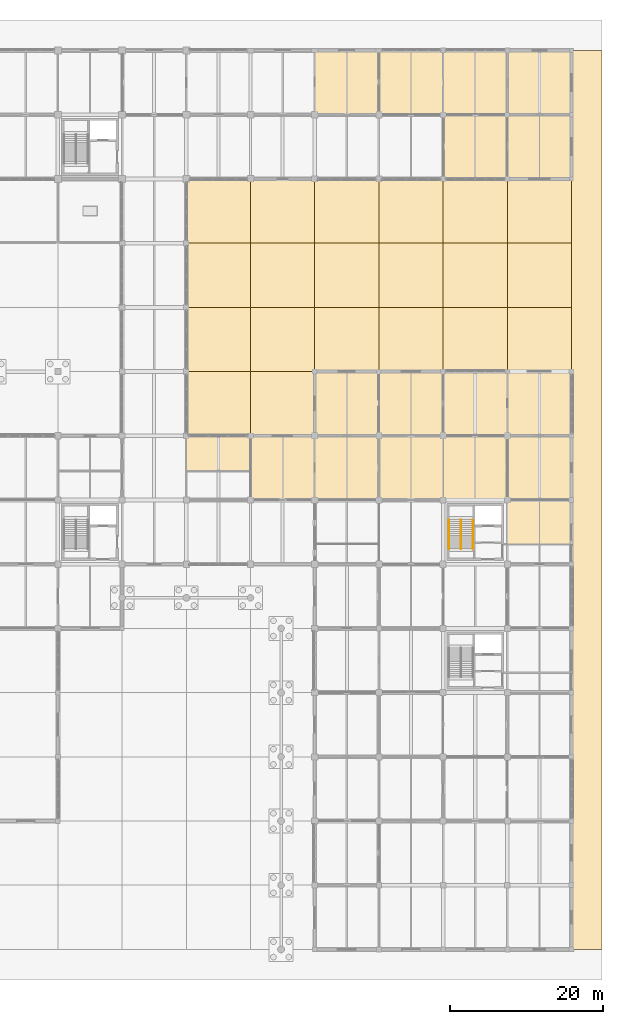
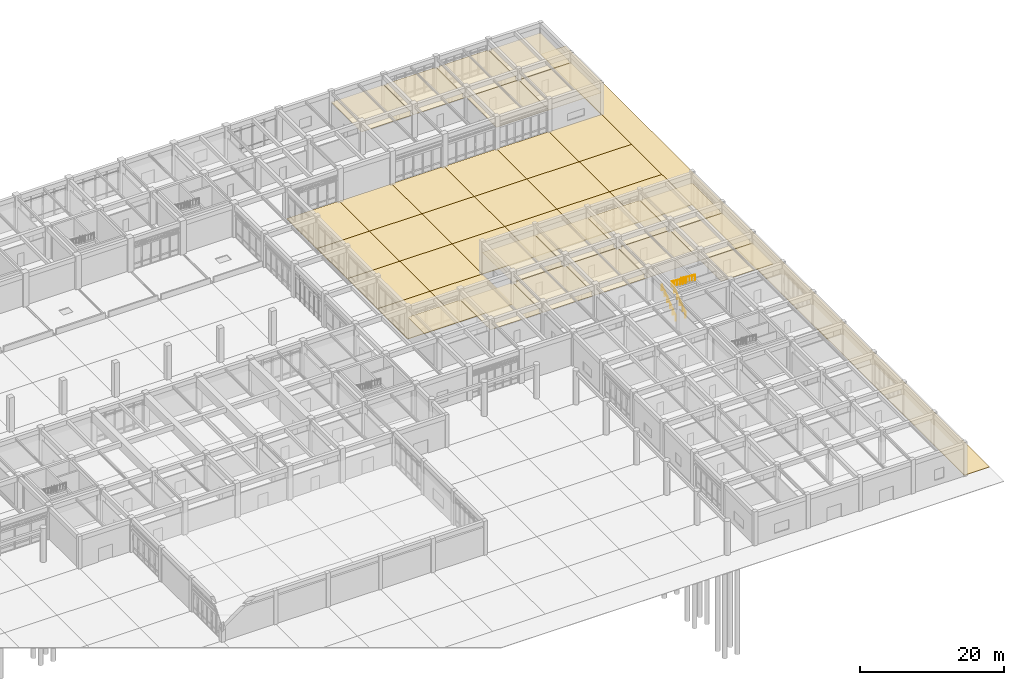
# One storey, part 91 of 91: 38 coverings, 4 railings.
"""IFC4 building model written with IfcOpenShell, lengths in metres."""

from ifc_helpers import new_model, si_unit, direction, frame, origin, origin_2d, place, context, subcontext, project, spatial, polyline, circle, outline, extrude, material, layer, layer_set, type_object, element, save


model = new_model("IFC4")

# Units and contexts
model_context = context("Model", 3, precision=1e-05, world=origin(), true_north=direction((0.0, 1.0)))
body_context = subcontext(model_context, "Body", "Model", "MODEL_VIEW")
ifc_project = project(units=[si_unit("LENGTHUNIT", "METRE"), si_unit("AREAUNIT", "SQUARE_METRE"), si_unit("VOLUMEUNIT", "CUBIC_METRE"), si_unit("PLANEANGLEUNIT", "RADIAN"), si_unit("MASSUNIT", "GRAM", prefix="KILO")], contexts=[model_context])

# Site, building, storey
site_placement = place(None, origin())
site = spatial("IfcSite", under=ifc_project, at=site_placement, CompositionType="ELEMENT")
building_placement = place(site_placement, origin())
building = spatial("IfcBuilding", under=site, at=building_placement, Name="Porcellanite Civic Hall", CompositionType="ELEMENT")
storey_placement = place(building_placement, origin())
storey = spatial("IfcBuildingStorey", under=building, at=storey_placement, Name="L00", CompositionType="ELEMENT", Elevation=0.0)

# Coverings
ifc_material_1 = material(Name="Perforated acoustic mineral-fibre and spotted-gum batten ceiling")
ifc_layer_1 = layer(ifc_material_1, 0.044921875)
ifc_layer_set_1 = layer_set([ifc_layer_1], Name="Perforated acoustic mineral-fibre and spotted-gum batten ceiling")
covering_type_1 = type_object("IfcCoveringType", Name="COV-CL3", PredefinedType="CEILING", material=ifc_layer_set_1)
covering_1_placement = place(storey_placement, frame((0.0, 0.0, 3.614990234375)))
element("IfcCovering", 1, at=covering_1_placement, inside=storey, type_object=covering_type_1, Name="Acoustic ceiling Civic Charter Room L00-B", PredefinedType="CEILING", context=body_context, shape_type="SweptSolid", body=[
    extrude(outline(polyline([(126.010009765625, 62.610107421875), (134.389892578125, 62.610107421875), (134.389892578125, 67.18994140625), (126.010009765625, 67.18994140625), (126.010009765625, 62.610107421875)])), origin(), (0.0, 0.0, 1.0), 0.044921875),
])
covering_2_placement = place(storey_placement, frame((0.0, 0.0, 3.614990234375)))
element("IfcCovering", 2, at=covering_2_placement, inside=storey, type_object=covering_type_1, Name="Acoustic ceiling Community Seminar Room L00-73", PredefinedType="CEILING", context=body_context, shape_type="SweptSolid", body=[
    extrude(outline(polyline([(134.409912109375, 58.81005859375), (142.7900390625, 58.81005859375), (142.7900390625, 67.18994140625), (134.409912109375, 67.18994140625), (134.409912109375, 58.81005859375)])), origin(), (0.0, 0.0, 1.0), 0.044921875),
])
covering_3_placement = place(storey_placement, frame((0.0, 0.0, 3.614990234375)))
element("IfcCovering", 3, at=covering_3_placement, inside=storey, type_object=covering_type_1, Name="Acoustic ceiling Local History Research Office L00-81", PredefinedType="CEILING", context=body_context, shape_type="SweptSolid", body=[
    extrude(outline(polyline([(142.81005859375, 58.81005859375), (151.18994140625, 58.81005859375), (151.18994140625, 67.18994140625), (142.81005859375, 67.18994140625), (142.81005859375, 58.81005859375)])), origin(), (0.0, 0.0, 1.0), 0.044921875),
])
covering_4_placement = place(storey_placement, frame((0.0, 0.0, 3.614990234375)))
element("IfcCovering", 4, at=covering_4_placement, inside=storey, type_object=covering_type_1, Name="Acoustic ceiling Civic Periodicals Collection Room L00-82", PredefinedType="CEILING", context=body_context, shape_type="SweptSolid", body=[
    extrude(outline(polyline([(142.81005859375, 67.2099609375), (151.18994140625, 67.2099609375), (151.18994140625, 75.590087890625), (142.81005859375, 75.590087890625), (142.81005859375, 67.2099609375)])), origin(), (0.0, 0.0, 1.0), 0.044921875),
])
covering_5_placement = place(storey_placement, frame((0.0, 0.0, 3.614990234375)))
element("IfcCovering", 5, at=covering_5_placement, inside=storey, type_object=covering_type_1, Name="Acoustic ceiling Municipal Registry Office L00-84", PredefinedType="CEILING", context=body_context, shape_type="SweptSolid", body=[
    extrude(outline(polyline([(142.81005859375, 109.2099609375), (151.18994140625, 109.2099609375), (151.18994140625, 117.590087890625), (142.81005859375, 117.590087890625), (142.81005859375, 109.2099609375)])), origin(), (0.0, 0.0, 1.0), 0.044921875),
])
covering_6_placement = place(storey_placement, frame((0.0, 0.0, 3.614990234375)))
element("IfcCovering", 6, at=covering_6_placement, inside=storey, type_object=covering_type_1, Name="Acoustic ceiling Local History Research Office L00-90", PredefinedType="CEILING", context=body_context, shape_type="SweptSolid", body=[
    extrude(outline(polyline([(151.2099609375, 58.81005859375), (159.590087890625, 58.81005859375), (159.590087890625, 67.18994140625), (151.2099609375, 67.18994140625), (151.2099609375, 58.81005859375)])), origin(), (0.0, 0.0, 1.0), 0.044921875),
])
covering_7_placement = place(storey_placement, frame((0.0, 0.0, 3.614990234375)))
element("IfcCovering", 7, at=covering_7_placement, inside=storey, type_object=covering_type_1, Name="Acoustic ceiling Civic Periodicals Collection Room L00-91", PredefinedType="CEILING", context=body_context, shape_type="SweptSolid", body=[
    extrude(outline(polyline([(151.2099609375, 67.2099609375), (159.590087890625, 67.2099609375), (159.590087890625, 75.590087890625), (151.2099609375, 75.590087890625), (151.2099609375, 67.2099609375)])), origin(), (0.0, 0.0, 1.0), 0.044921875),
])
covering_8_placement = place(storey_placement, frame((0.0, 0.0, 3.614990234375)))
element("IfcCovering", 8, at=covering_8_placement, inside=storey, type_object=covering_type_1, Name="Acoustic ceiling Municipal Registry Office L00-93", PredefinedType="CEILING", context=body_context, shape_type="SweptSolid", body=[
    extrude(outline(polyline([(151.2099609375, 109.2099609375), (159.590087890625, 109.2099609375), (159.590087890625, 117.590087890625), (151.2099609375, 117.590087890625), (151.2099609375, 109.2099609375)])), origin(), (0.0, 0.0, 1.0), 0.044921875),
])
covering_9_placement = place(storey_placement, frame((0.0, 0.0, 3.614990234375)))
element("IfcCovering", 9, at=covering_9_placement, inside=storey, type_object=covering_type_1, Name="Acoustic ceiling Rare Maps Conservation Studio L00-97", PredefinedType="CEILING", context=body_context, shape_type="SweptSolid", body=[
    extrude(outline(polyline([(159.610107421875, 58.81005859375), (167.989990234375, 58.81005859375), (167.989990234375, 67.18994140625), (159.610107421875, 67.18994140625), (159.610107421875, 58.81005859375)])), origin(), (0.0, 0.0, 1.0), 0.044921875),
])
covering_10_placement = place(storey_placement, frame((0.0, 0.0, 3.614990234375)))
element("IfcCovering", 10, at=covering_10_placement, inside=storey, type_object=covering_type_1, Name="Acoustic ceiling Local History Research Office L00-98", PredefinedType="CEILING", context=body_context, shape_type="SweptSolid", body=[
    extrude(outline(polyline([(159.610107421875, 67.2099609375), (167.989990234375, 67.2099609375), (167.989990234375, 75.590087890625), (159.610107421875, 75.590087890625), (159.610107421875, 67.2099609375)])), origin(), (0.0, 0.0, 1.0), 0.044921875),
])
covering_11_placement = place(storey_placement, frame((0.0, 0.0, 3.614990234375)))
element("IfcCovering", 11, at=covering_11_placement, inside=storey, type_object=covering_type_1, Name="Acoustic ceiling Municipal Registry Office L00-99", PredefinedType="CEILING", context=body_context, shape_type="SweptSolid", body=[
    extrude(outline(polyline([(159.610107421875, 100.81005859375), (167.989990234375, 100.81005859375), (167.989990234375, 109.18994140625), (159.610107421875, 109.18994140625), (159.610107421875, 100.81005859375)])), origin(), (0.0, 0.0, 1.0), 0.044921875),
])
covering_12_placement = place(storey_placement, frame((0.0, 0.0, 3.614990234375)))
element("IfcCovering", 12, at=covering_12_placement, inside=storey, type_object=covering_type_1, Name="Acoustic ceiling Environmental Health Office L00-100", PredefinedType="CEILING", context=body_context, shape_type="SweptSolid", body=[
    extrude(outline(polyline([(159.610107421875, 109.2099609375), (167.989990234375, 109.2099609375), (167.989990234375, 117.590087890625), (159.610107421875, 117.590087890625), (159.610107421875, 109.2099609375)])), origin(), (0.0, 0.0, 1.0), 0.044921875),
])
covering_13_placement = place(storey_placement, frame((0.0, 0.0, 3.614990234375)))
element("IfcCovering", 13, at=covering_13_placement, inside=storey, type_object=covering_type_1, Name="Acoustic ceiling Community Seminar Room L00-105", PredefinedType="CEILING", context=body_context, shape_type="SweptSolid", body=[
    extrude(outline(polyline([(168.010009765625, 52.988037109375), (176.389892578125, 52.988037109375), (176.389892578125, 58.7900390625), (168.010009765625, 58.7900390625), (168.010009765625, 52.988037109375)])), origin(), (0.0, 0.0, 1.0), 0.044921875),
])
covering_14_placement = place(storey_placement, frame((0.0, 0.0, 3.614990234375)))
element("IfcCovering", 14, at=covering_14_placement, inside=storey, type_object=covering_type_1, Name="Acoustic ceiling Rare Maps Conservation Studio L00-106", PredefinedType="CEILING", context=body_context, shape_type="SweptSolid", body=[
    extrude(outline(polyline([(168.010009765625, 58.81005859375), (176.389892578125, 58.81005859375), (176.389892578125, 67.18994140625), (168.010009765625, 67.18994140625), (168.010009765625, 58.81005859375)])), origin(), (0.0, 0.0, 1.0), 0.044921875),
])
covering_15_placement = place(storey_placement, frame((0.0, 0.0, 3.614990234375)))
element("IfcCovering", 15, at=covering_15_placement, inside=storey, type_object=covering_type_1, Name="Acoustic ceiling Local History Research Office L00-107", PredefinedType="CEILING", context=body_context, shape_type="SweptSolid", body=[
    extrude(outline(polyline([(168.010009765625, 67.2099609375), (176.389892578125, 67.2099609375), (176.389892578125, 75.590087890625), (168.010009765625, 75.590087890625), (168.010009765625, 67.2099609375)])), origin(), (0.0, 0.0, 1.0), 0.044921875),
])
covering_16_placement = place(storey_placement, frame((0.0, 0.0, 3.614990234375)))
element("IfcCovering", 16, at=covering_16_placement, inside=storey, type_object=covering_type_1, Name="Acoustic ceiling Municipal Registry Office L00-108", PredefinedType="CEILING", context=body_context, shape_type="SweptSolid", body=[
    extrude(outline(polyline([(168.010009765625, 100.81005859375), (176.389892578125, 100.81005859375), (176.389892578125, 109.18994140625), (168.010009765625, 109.18994140625), (168.010009765625, 100.81005859375)])), origin(), (0.0, 0.0, 1.0), 0.044921875),
])
covering_17_placement = place(storey_placement, frame((0.0, 0.0, 3.614990234375)))
element("IfcCovering", 17, at=covering_17_placement, inside=storey, type_object=covering_type_1, Name="Acoustic ceiling Environmental Health Office L00-109", PredefinedType="CEILING", context=body_context, shape_type="SweptSolid", body=[
    extrude(outline(polyline([(168.010009765625, 109.2099609375), (176.389892578125, 109.2099609375), (176.389892578125, 117.590087890625), (168.010009765625, 117.590087890625), (168.010009765625, 109.2099609375)])), origin(), (0.0, 0.0, 1.0), 0.044921875),
])
ifc_material_2 = material(Name="Darwin porcellanite stone paving", Category="masonry")
ifc_layer_2 = layer(ifc_material_2, 0.10009765625)
ifc_layer_set_2 = layer_set([ifc_layer_2], Name="Darwin porcellanite stone paving")
covering_type_2 = type_object("IfcCoveringType", Name="COV-PAV100", PredefinedType="USERDEFINED", material=ifc_layer_set_2)
covering_18_placement = place(storey_placement, frame((0.0, 0.0, -0.10009765625)))
element("IfcCovering", 18, at=covering_18_placement, inside=storey, type_object=covering_type_2, Name="Porcellanite Square paving 16-9", ObjectType="PAVING", PredefinedType="USERDEFINED", context=body_context, shape_type="SweptSolid", body=[
    extrude(outline(polyline([(126.0, 67.199951171875), (134.39990234375, 67.199951171875), (134.39990234375, 75.60009765625), (126.0, 75.60009765625), (126.0, 67.199951171875)])), origin(), (0.0, 0.0, 1.0), 0.10009765625),
])
covering_19_placement = place(storey_placement, frame((0.0, 0.0, -0.10009765625)))
element("IfcCovering", 19, at=covering_19_placement, inside=storey, type_object=covering_type_2, Name="Porcellanite Square paving 16-10", ObjectType="PAVING", PredefinedType="USERDEFINED", context=body_context, shape_type="SweptSolid", body=[
    extrude(outline(polyline([(126.0, 75.60009765625), (134.39990234375, 75.60009765625), (134.39990234375, 84.0), (126.0, 84.0), (126.0, 75.60009765625)])), origin(), (0.0, 0.0, 1.0), 0.10009765625),
])
covering_20_placement = place(storey_placement, frame((0.0, 0.0, -0.10009765625)))
element("IfcCovering", 20, at=covering_20_placement, inside=storey, type_object=covering_type_2, Name="Porcellanite Square paving 16-11", ObjectType="PAVING", PredefinedType="USERDEFINED", context=body_context, shape_type="SweptSolid", body=[
    extrude(outline(polyline([(126.0, 84.0), (134.39990234375, 84.0), (134.39990234375, 92.39990234375), (126.0, 92.39990234375), (126.0, 84.0)])), origin(), (0.0, 0.0, 1.0), 0.10009765625),
])
covering_21_placement = place(storey_placement, frame((0.0, 0.0, -0.10009765625)))
element("IfcCovering", 21, at=covering_21_placement, inside=storey, type_object=covering_type_2, Name="Porcellanite Square paving 16-12", ObjectType="PAVING", PredefinedType="USERDEFINED", context=body_context, shape_type="SweptSolid", body=[
    extrude(outline(polyline([(126.0, 92.39990234375), (134.39990234375, 92.39990234375), (134.39990234375, 100.800048828125), (126.0, 100.800048828125), (126.0, 92.39990234375)])), origin(), (0.0, 0.0, 1.0), 0.10009765625),
])
covering_22_placement = place(storey_placement, frame((0.0, 0.0, -0.10009765625)))
element("IfcCovering", 22, at=covering_22_placement, inside=storey, type_object=covering_type_2, Name="Porcellanite Square paving 17-9", ObjectType="PAVING", PredefinedType="USERDEFINED", context=body_context, shape_type="SweptSolid", body=[
    extrude(outline(polyline([(134.39990234375, 67.199951171875), (142.800048828125, 67.199951171875), (142.800048828125, 75.60009765625), (134.39990234375, 75.60009765625), (134.39990234375, 67.199951171875)])), origin(), (0.0, 0.0, 1.0), 0.10009765625),
])
covering_23_placement = place(storey_placement, frame((0.0, 0.0, -0.10009765625)))
element("IfcCovering", 23, at=covering_23_placement, inside=storey, type_object=covering_type_2, Name="Porcellanite Square paving 17-10", ObjectType="PAVING", PredefinedType="USERDEFINED", context=body_context, shape_type="SweptSolid", body=[
    extrude(outline(polyline([(134.39990234375, 75.60009765625), (142.800048828125, 75.60009765625), (142.800048828125, 84.0), (134.39990234375, 84.0), (134.39990234375, 75.60009765625)])), origin(), (0.0, 0.0, 1.0), 0.10009765625),
])
covering_24_placement = place(storey_placement, frame((0.0, 0.0, -0.10009765625)))
element("IfcCovering", 24, at=covering_24_placement, inside=storey, type_object=covering_type_2, Name="Porcellanite Square paving 17-11", ObjectType="PAVING", PredefinedType="USERDEFINED", context=body_context, shape_type="SweptSolid", body=[
    extrude(outline(polyline([(134.39990234375, 84.0), (142.800048828125, 84.0), (142.800048828125, 92.39990234375), (134.39990234375, 92.39990234375), (134.39990234375, 84.0)])), origin(), (0.0, 0.0, 1.0), 0.10009765625),
])
covering_25_placement = place(storey_placement, frame((0.0, 0.0, -0.10009765625)))
element("IfcCovering", 25, at=covering_25_placement, inside=storey, type_object=covering_type_2, Name="Porcellanite Square paving 17-12", ObjectType="PAVING", PredefinedType="USERDEFINED", context=body_context, shape_type="SweptSolid", body=[
    extrude(outline(polyline([(134.39990234375, 92.39990234375), (142.800048828125, 92.39990234375), (142.800048828125, 100.800048828125), (134.39990234375, 100.800048828125), (134.39990234375, 92.39990234375)])), origin(), (0.0, 0.0, 1.0), 0.10009765625),
])
covering_26_placement = place(storey_placement, frame((0.0, 0.0, -0.10009765625)))
element("IfcCovering", 26, at=covering_26_placement, inside=storey, type_object=covering_type_2, Name="Porcellanite Square paving 18-10", ObjectType="PAVING", PredefinedType="USERDEFINED", context=body_context, shape_type="SweptSolid", body=[
    extrude(outline(polyline([(142.800048828125, 75.60009765625), (151.199951171875, 75.60009765625), (151.199951171875, 84.0), (142.800048828125, 84.0), (142.800048828125, 75.60009765625)])), origin(), (0.0, 0.0, 1.0), 0.10009765625),
])
covering_27_placement = place(storey_placement, frame((0.0, 0.0, -0.10009765625)))
element("IfcCovering", 27, at=covering_27_placement, inside=storey, type_object=covering_type_2, Name="Porcellanite Square paving 18-11", ObjectType="PAVING", PredefinedType="USERDEFINED", context=body_context, shape_type="SweptSolid", body=[
    extrude(outline(polyline([(142.800048828125, 84.0), (151.199951171875, 84.0), (151.199951171875, 92.39990234375), (142.800048828125, 92.39990234375), (142.800048828125, 84.0)])), origin(), (0.0, 0.0, 1.0), 0.10009765625),
])
covering_28_placement = place(storey_placement, frame((0.0, 0.0, -0.10009765625)))
element("IfcCovering", 28, at=covering_28_placement, inside=storey, type_object=covering_type_2, Name="Porcellanite Square paving 18-12", ObjectType="PAVING", PredefinedType="USERDEFINED", context=body_context, shape_type="SweptSolid", body=[
    extrude(outline(polyline([(142.800048828125, 92.39990234375), (151.199951171875, 92.39990234375), (151.199951171875, 100.800048828125), (142.800048828125, 100.800048828125), (142.800048828125, 92.39990234375)])), origin(), (0.0, 0.0, 1.0), 0.10009765625),
])
covering_29_placement = place(storey_placement, frame((0.0, 0.0, -0.10009765625)))
element("IfcCovering", 29, at=covering_29_placement, inside=storey, type_object=covering_type_2, Name="Porcellanite Square paving 19-10", ObjectType="PAVING", PredefinedType="USERDEFINED", context=body_context, shape_type="SweptSolid", body=[
    extrude(outline(polyline([(151.199951171875, 75.60009765625), (159.60009765625, 75.60009765625), (159.60009765625, 84.0), (151.199951171875, 84.0), (151.199951171875, 75.60009765625)])), origin(), (0.0, 0.0, 1.0), 0.10009765625),
])
covering_30_placement = place(storey_placement, frame((0.0, 0.0, -0.10009765625)))
element("IfcCovering", 30, at=covering_30_placement, inside=storey, type_object=covering_type_2, Name="Porcellanite Square paving 19-11", ObjectType="PAVING", PredefinedType="USERDEFINED", context=body_context, shape_type="SweptSolid", body=[
    extrude(outline(polyline([(151.199951171875, 84.0), (159.60009765625, 84.0), (159.60009765625, 92.39990234375), (151.199951171875, 92.39990234375), (151.199951171875, 84.0)])), origin(), (0.0, 0.0, 1.0), 0.10009765625),
])
covering_31_placement = place(storey_placement, frame((0.0, 0.0, -0.10009765625)))
element("IfcCovering", 31, at=covering_31_placement, inside=storey, type_object=covering_type_2, Name="Porcellanite Square paving 19-12", ObjectType="PAVING", PredefinedType="USERDEFINED", context=body_context, shape_type="SweptSolid", body=[
    extrude(outline(polyline([(151.199951171875, 92.39990234375), (159.60009765625, 92.39990234375), (159.60009765625, 100.800048828125), (151.199951171875, 100.800048828125), (151.199951171875, 92.39990234375)])), origin(), (0.0, 0.0, 1.0), 0.10009765625),
])
covering_32_placement = place(storey_placement, frame((0.0, 0.0, -0.10009765625)))
element("IfcCovering", 32, at=covering_32_placement, inside=storey, type_object=covering_type_2, Name="Porcellanite Square paving 20-10", ObjectType="PAVING", PredefinedType="USERDEFINED", context=body_context, shape_type="SweptSolid", body=[
    extrude(outline(polyline([(159.60009765625, 75.60009765625), (168.0, 75.60009765625), (168.0, 84.0), (159.60009765625, 84.0), (159.60009765625, 75.60009765625)])), origin(), (0.0, 0.0, 1.0), 0.10009765625),
])
covering_33_placement = place(storey_placement, frame((0.0, 0.0, -0.10009765625)))
element("IfcCovering", 33, at=covering_33_placement, inside=storey, type_object=covering_type_2, Name="Porcellanite Square paving 20-11", ObjectType="PAVING", PredefinedType="USERDEFINED", context=body_context, shape_type="SweptSolid", body=[
    extrude(outline(polyline([(159.60009765625, 84.0), (168.0, 84.0), (168.0, 92.39990234375), (159.60009765625, 92.39990234375), (159.60009765625, 84.0)])), origin(), (0.0, 0.0, 1.0), 0.10009765625),
])
covering_34_placement = place(storey_placement, frame((0.0, 0.0, -0.10009765625)))
element("IfcCovering", 34, at=covering_34_placement, inside=storey, type_object=covering_type_2, Name="Porcellanite Square paving 20-12", ObjectType="PAVING", PredefinedType="USERDEFINED", context=body_context, shape_type="SweptSolid", body=[
    extrude(outline(polyline([(159.60009765625, 92.39990234375), (168.0, 92.39990234375), (168.0, 100.800048828125), (159.60009765625, 100.800048828125), (159.60009765625, 92.39990234375)])), origin(), (0.0, 0.0, 1.0), 0.10009765625),
])
covering_35_placement = place(storey_placement, frame((0.0, 0.0, -0.10009765625)))
element("IfcCovering", 35, at=covering_35_placement, inside=storey, type_object=covering_type_2, Name="Porcellanite Square paving 21-10", ObjectType="PAVING", PredefinedType="USERDEFINED", context=body_context, shape_type="SweptSolid", body=[
    extrude(outline(polyline([(168.0, 75.60009765625), (176.39990234375, 75.60009765625), (176.39990234375, 84.0), (168.0, 84.0), (168.0, 75.60009765625)])), origin(), (0.0, 0.0, 1.0), 0.10009765625),
])
covering_36_placement = place(storey_placement, frame((0.0, 0.0, -0.10009765625)))
element("IfcCovering", 36, at=covering_36_placement, inside=storey, type_object=covering_type_2, Name="Porcellanite Square paving 21-11", ObjectType="PAVING", PredefinedType="USERDEFINED", context=body_context, shape_type="SweptSolid", body=[
    extrude(outline(polyline([(168.0, 84.0), (176.39990234375, 84.0), (176.39990234375, 92.39990234375), (168.0, 92.39990234375), (168.0, 84.0)])), origin(), (0.0, 0.0, 1.0), 0.10009765625),
])
covering_37_placement = place(storey_placement, frame((0.0, 0.0, -0.10009765625)))
element("IfcCovering", 37, at=covering_37_placement, inside=storey, type_object=covering_type_2, Name="Porcellanite Square paving 21-12", ObjectType="PAVING", PredefinedType="USERDEFINED", context=body_context, shape_type="SweptSolid", body=[
    extrude(outline(polyline([(168.0, 92.39990234375), (176.39990234375, 92.39990234375), (176.39990234375, 100.800048828125), (168.0, 100.800048828125), (168.0, 92.39990234375)])), origin(), (0.0, 0.0, 1.0), 0.10009765625),
])
covering_38_placement = place(storey_placement, frame((0.0, 0.0, -0.10009765625)))
element("IfcCovering", 38, at=covering_38_placement, inside=storey, type_object=covering_type_2, Name="Perimeter civic promenade paving E", ObjectType="PAVING", PredefinedType="USERDEFINED", context=body_context, shape_type="SweptSolid", body=[
    extrude(outline(polyline([(176.39990234375, 0.0), (180.39990234375, 0.0), (180.39990234375, 117.60009765625), (176.39990234375, 117.60009765625), (176.39990234375, 0.0)])), origin(), (0.0, 0.0, 1.0), 0.10009765625),
])

# Railings
ifc_material_3 = material(Name="Brushed stainless steel 316", Category="steel")
railing_type_1 = type_object("IfcRailingType", Name="RL-HR920", PredefinedType="HANDRAIL", material=ifc_material_3)
railing_1_placement = place(storey_placement, frame((160.385009765625, 52.39990234375, 0.0)))
element("IfcRailing", 39, at=railing_1_placement, inside=storey, type_object=railing_type_1, Name="Stair handrail ST-08 L00 1", PredefinedType="HANDRAIL", context=body_context, shape_type="SweptSolid", body=[
    extrude(circle(Radius=0.02197265625, at=origin_2d()), frame((0.0, 0.0, 0.89794921875), z_axis=(0.0, 0.798897287562, 0.601467475369), x_axis=(-1.0, 0.0, 0.0)), (0.0, 0.0, 1.0), 4.7880859375),
    extrude(circle(Radius=0.01904296875, at=origin_2d()), origin(), (0.0, 0.0, 1.0), 0.8759765625),
    extrude(circle(Radius=0.01904296875, at=origin_2d()), frame((0.0, 0.76513671875, 0.575927734375)), (0.0, 0.0, 1.0), 0.8759765625),
    extrude(circle(Radius=0.01904296875, at=origin_2d()), frame((0.0, 1.530029296875, 1.15185546875)), (0.0, 0.0, 1.0), 0.8759765625),
    extrude(circle(Radius=0.01904296875, at=origin_2d()), frame((0.0, 2.295166015625, 1.72802734375)), (0.0, 0.0, 1.0), 0.8759765625),
    extrude(circle(Radius=0.01904296875, at=origin_2d()), frame((0.0, 3.06005859375, 2.303955078125)), (0.0, 0.0, 1.0), 0.8759765625),
    extrude(circle(Radius=0.01904296875, at=origin_2d()), frame((0.0, 3.8251953125, 2.8798828125)), (0.0, 0.0, 1.0), 0.8759765625),
])
railing_2_placement = place(storey_placement, frame((161.965087890625, 56.22509765625, 2.8798828125)))
element("IfcRailing", 40, at=railing_2_placement, inside=storey, type_object=railing_type_1, Name="Stair handrail ST-08 L00 3", PredefinedType="HANDRAIL", context=body_context, shape_type="SweptSolid", body=[
    extrude(circle(Radius=0.02197265625, at=origin_2d()), frame((0.0, 0.0, 0.89794921875), z_axis=(0.0, -0.798872786838, 0.601500016998), x_axis=(1.0, 0.0, 0.0)), (0.0, 0.0, 1.0), 4.788330078125),
    extrude(circle(Radius=0.01904296875, at=origin_2d()), origin(), (0.0, 0.0, 1.0), 0.8759765625),
    extrude(circle(Radius=0.01904296875, at=origin_2d()), frame((0.0, -0.76513671875, 0.575927734375)), (0.0, 0.0, 1.0), 0.8759765625),
    extrude(circle(Radius=0.01904296875, at=origin_2d()), frame((0.0, -1.530029296875, 1.152099609375)), (0.0, 0.0, 1.0), 0.8759765625),
    extrude(circle(Radius=0.01904296875, at=origin_2d()), frame((0.0, -2.295166015625, 1.72802734375)), (0.0, 0.0, 1.0), 0.8759765625),
    extrude(circle(Radius=0.01904296875, at=origin_2d()), frame((0.0, -3.06005859375, 2.30419921875)), (0.0, 0.0, 1.0), 0.8759765625),
    extrude(circle(Radius=0.01904296875, at=origin_2d()), frame((0.0, -3.8251953125, 2.880126953125)), (0.0, 0.0, 1.0), 0.8759765625),
])
ifc_material_4 = material(Name="Brushed stainless steel 316", Category="steel")
railing_type_2 = type_object("IfcRailingType", Name="RL-HR950", PredefinedType="HANDRAIL", material=ifc_material_4)
railing_3_placement = place(storey_placement, frame((161.93505859375, 52.39990234375, 0.0)))
element("IfcRailing", 41, at=railing_3_placement, inside=storey, type_object=railing_type_2, Name="Stair handrail ST-08 L00 2", PredefinedType="HANDRAIL", context=body_context, shape_type="SweptSolid", body=[
    extrude(circle(Radius=0.02197265625, at=origin_2d()), frame((0.0, 0.0, 0.927978515625), z_axis=(0.0, 0.798897287562, 0.601467475369), x_axis=(-1.0, 0.0, 0.0)), (0.0, 0.0, 1.0), 4.7880859375),
    extrude(circle(Radius=0.01904296875, at=origin_2d()), origin(), (0.0, 0.0, 1.0), 0.906005859375),
    extrude(circle(Radius=0.01904296875, at=origin_2d()), frame((0.0, 0.76513671875, 0.575927734375)), (0.0, 0.0, 1.0), 0.906005859375),
    extrude(circle(Radius=0.01904296875, at=origin_2d()), frame((0.0, 1.530029296875, 1.15185546875)), (0.0, 0.0, 1.0), 0.906005859375),
    extrude(circle(Radius=0.01904296875, at=origin_2d()), frame((0.0, 2.295166015625, 1.72802734375)), (0.0, 0.0, 1.0), 0.906005859375),
    extrude(circle(Radius=0.01904296875, at=origin_2d()), frame((0.0, 3.06005859375, 2.303955078125)), (0.0, 0.0, 1.0), 0.906005859375),
    extrude(circle(Radius=0.01904296875, at=origin_2d()), frame((0.0, 3.8251953125, 2.8798828125)), (0.0, 0.0, 1.0), 0.906005859375),
])
railing_4_placement = place(storey_placement, frame((163.514892578125, 56.22509765625, 2.8798828125)))
element("IfcRailing", 42, at=railing_4_placement, inside=storey, type_object=railing_type_2, Name="Stair handrail ST-08 L00 4", PredefinedType="HANDRAIL", context=body_context, shape_type="SweptSolid", body=[
    extrude(circle(Radius=0.02197265625, at=origin_2d()), frame((0.0, 0.0, 0.927978515625), z_axis=(0.0, -0.798872786838, 0.601500016998), x_axis=(1.0, 0.0, 0.0)), (0.0, 0.0, 1.0), 4.788330078125),
    extrude(circle(Radius=0.01904296875, at=origin_2d()), origin(), (0.0, 0.0, 1.0), 0.906005859375),
    extrude(circle(Radius=0.01904296875, at=origin_2d()), frame((0.0, -0.76513671875, 0.575927734375)), (0.0, 0.0, 1.0), 0.906005859375),
    extrude(circle(Radius=0.01904296875, at=origin_2d()), frame((0.0, -1.530029296875, 1.152099609375)), (0.0, 0.0, 1.0), 0.906005859375),
    extrude(circle(Radius=0.01904296875, at=origin_2d()), frame((0.0, -2.295166015625, 1.72802734375)), (0.0, 0.0, 1.0), 0.906005859375),
    extrude(circle(Radius=0.01904296875, at=origin_2d()), frame((0.0, -3.06005859375, 2.30419921875)), (0.0, 0.0, 1.0), 0.906005859375),
    extrude(circle(Radius=0.01904296875, at=origin_2d()), frame((0.0, -3.8251953125, 2.880126953125)), (0.0, 0.0, 1.0), 0.906005859375),
])

save(model, "model.ifc")
